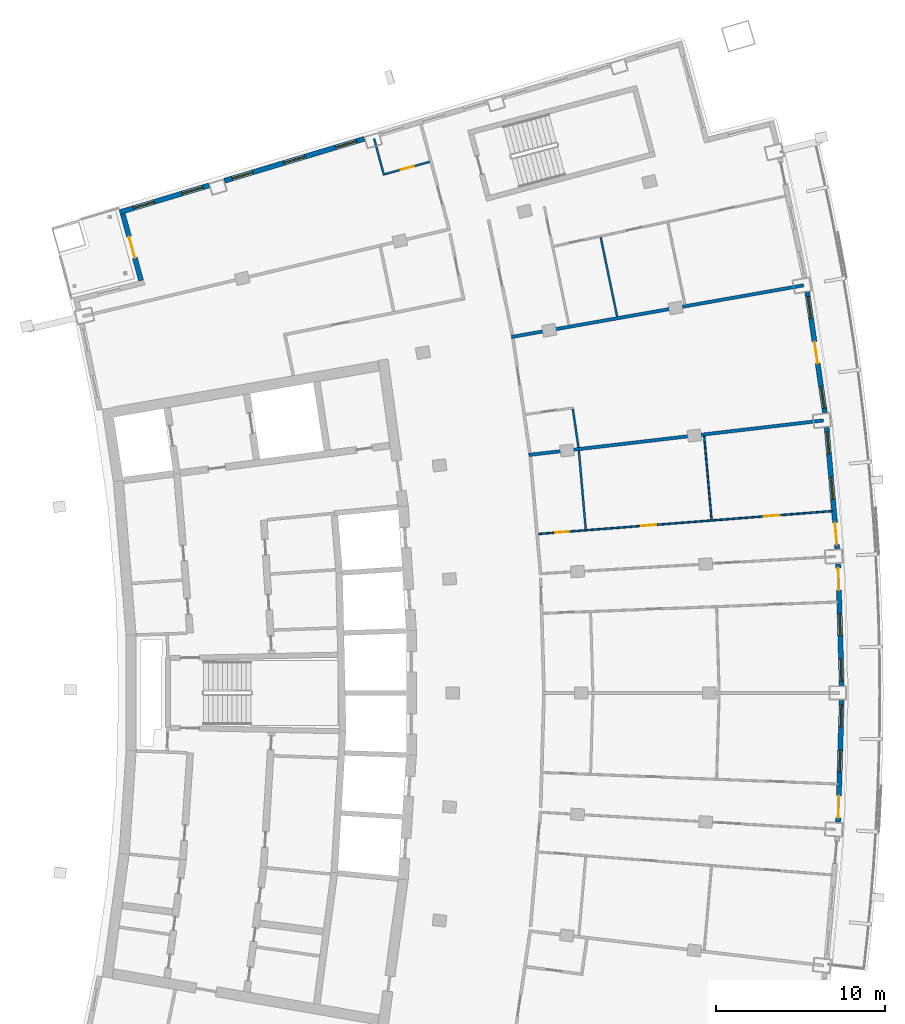
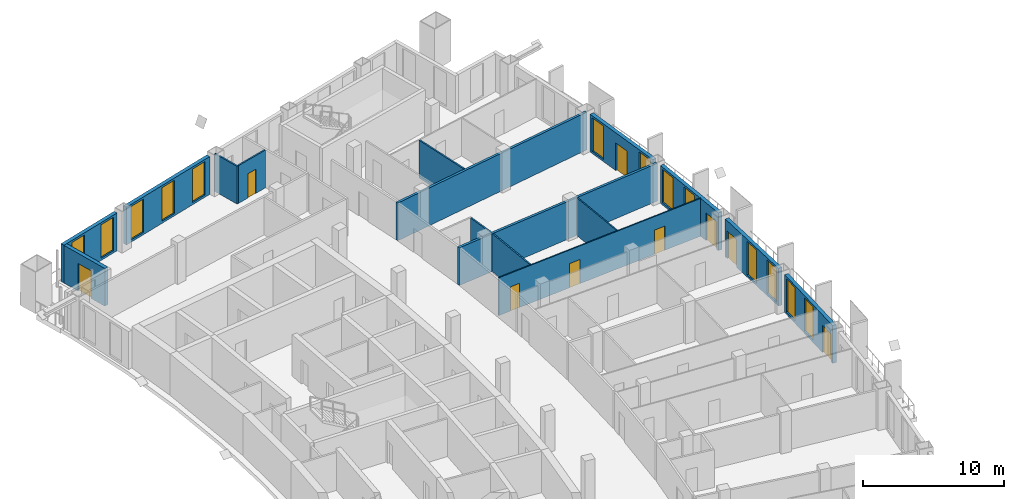
# One storey, part 14 of 19: 16 walls, 13 windows, 9 doors, 22 openings.
"""IFC4 building model written with IfcOpenShell, lengths in metres."""

from ifc_helpers import new_model, si_unit, direction, frame, frame_2d, origin, place, context, subcontext, project, spatial, rectangle, extrude, material, layer, layer_set, type_object, element, fill, save


model = new_model("IFC4")

# Units and contexts
model_context = context("Model", 3, precision=1e-05, world=origin(), true_north=direction((0.0, 1.0)))
body_context = subcontext(model_context, "Body", "Model", "MODEL_VIEW")
ifc_project = project(units=[si_unit("LENGTHUNIT", "METRE"), si_unit("AREAUNIT", "SQUARE_METRE"), si_unit("VOLUMEUNIT", "CUBIC_METRE"), si_unit("PLANEANGLEUNIT", "RADIAN"), si_unit("MASSUNIT", "GRAM", prefix="KILO")], contexts=[model_context])

# Site, building, storey
site_placement = place(None, origin())
site = spatial("IfcSite", under=ifc_project, at=site_placement, CompositionType="ELEMENT")
building_placement = place(site_placement, origin())
building = spatial("IfcBuilding", under=site, at=building_placement, Name="Alderwake Tower", CompositionType="ELEMENT")
storey_placement = place(building_placement, frame((0.0, 0.0, 196.39990234375)))
storey = spatial("IfcBuildingStorey", under=building, at=storey_placement, Name="L48", CompositionType="ELEMENT", Elevation=196.39990234375)

# Wall, openings, door, windows
ifc_material_1 = material(Name="Precast concrete C50/60 spandrel panel", Category="concrete")
ifc_layer_1 = layer(ifc_material_1, 0.300048828125)
ifc_layer_set_1 = layer_set([ifc_layer_1], Name="External wall EW1 Precast concrete C50/60 spandrel")
wall_type_1 = type_object("IfcWallType", Name="External wall EW1 Precast concrete C50/60 spandrel", PredefinedType="SOLIDWALL", material=ifc_layer_set_1)
wall_1_placement = place(storey_placement, frame((58.626708984375, 53.352294921875, 0.0), z_axis=(0.0, 0.0, 1.0), x_axis=(0.0291809358, 0.999574145817, 0.0)))
wall_1 = element("IfcWall", 1, at=wall_1_placement, inside=storey, type_object=wall_type_1, Name="External wall 15", PredefinedType="SOLIDWALL", context=body_context, shape_type="SweptSolid", body=[
    extrude(rectangle(XDim=7.20361328125, YDim=0.300048828125, at=frame_2d((3.601806640625, 0.0))), origin(), (0.0, 0.0, 1.0), 3.280029296875),
])
opening_1_placement = place(wall_1_placement, frame((0.257080078125, 0.0, 0.0)))
opening_1 = element("IfcOpeningElement", 2, at=opening_1_placement, cuts=wall_1, Name="Opening D04", PredefinedType="OPENING", context=body_context, shape_type="SweptSolid", body=[
    extrude(rectangle(XDim=1.300048828125, YDim=2.39990234375, at=frame_2d((0.64990234375, 1.199951171875))), frame((0.0, 0.159912109375, 0.0), z_axis=(0.0, -1.0, 0.0), x_axis=(1.0, 0.0, 0.0)), (0.0, 0.0, 1.0), 0.320068359375),
])
opening_2_placement = place(wall_1_placement, frame((2.951904296875, 0.0, 0.199951171875)))
opening_2 = element("IfcOpeningElement", 3, at=opening_2_placement, cuts=wall_1, Name="Opening W1", PredefinedType="OPENING", context=body_context, shape_type="SweptSolid", body=[
    extrude(rectangle(XDim=1.300048828125, YDim=2.89990234375, at=frame_2d((0.64990234375, 1.449951171875))), frame((0.0, 0.159912109375, 0.0), z_axis=(0.0, -1.0, 0.0), x_axis=(1.0, 0.0, 0.0)), (0.0, 0.0, 1.0), 0.320068359375),
])
opening_3_placement = place(wall_1_placement, frame((5.646484375, 0.0, 0.199951171875)))
opening_3 = element("IfcOpeningElement", 4, at=opening_3_placement, cuts=wall_1, Name="Opening W1", PredefinedType="OPENING", context=body_context, shape_type="SweptSolid", body=[
    extrude(rectangle(XDim=1.300048828125, YDim=2.89990234375, at=frame_2d((0.64990234375, 1.449951171875))), frame((0.0, 0.159912109375, 0.0), z_axis=(0.0, -1.0, 0.0), x_axis=(1.0, 0.0, 0.0)), (0.0, 0.0, 1.0), 0.320068359375),
])
ifc_material_2 = material(Name="Bronze tinted glass in aluminium frame", Category="aluminium")
door_type_1 = type_object("IfcDoorType", Name="Balcony door BD sliding", OperationType="SLIDING_TO_LEFT", PredefinedType="DOOR", material=ifc_material_2)
door_1_placement = place(opening_1_placement, origin())
door_1 = element("IfcDoor", 5, at=door_1_placement, inside=storey, type_object=door_type_1, Name="Door D04", OperationType="SLIDING_TO_LEFT", OverallHeight=2.39990234375, OverallWidth=1.300048828125, PredefinedType="DOOR", context=body_context, shape_type="SweptSolid", body=[
    extrude(rectangle(XDim=1.300048828125, YDim=2.39990234375, at=frame_2d((0.64990234375, 1.199951171875))), frame((0.0, 0.02490234375, 0.0), z_axis=(0.0, -1.0, 0.0), x_axis=(1.0, 0.0, 0.0)), (0.0, 0.0, 1.0), 0.050048828125),
])
fill(opening_1, door_1)
ifc_material_3 = material(Name="Bronze tinted glass in aluminium frame", Category="aluminium")
window_type = type_object("IfcWindowType", Name="Window W1 tall fixed and vent", PartitioningType="DOUBLE_PANEL_VERTICAL", PredefinedType="WINDOW", material=ifc_material_3)
window_1_placement = place(opening_2_placement, origin())
window_1 = element("IfcWindow", 6, at=window_1_placement, inside=storey, type_object=window_type, Name="Window W1 tall fixed and vent", OverallHeight=2.89990234375, OverallWidth=1.300048828125, PartitioningType="DOUBLE_PANEL_VERTICAL", PredefinedType="WINDOW", context=body_context, shape_type="SweptSolid", body=[
    extrude(rectangle(XDim=1.300048828125, YDim=2.89990234375, at=frame_2d((0.64990234375, 1.449951171875))), frame((0.0, 0.030029296875, 0.0), z_axis=(0.0, -1.0, 0.0), x_axis=(1.0, 0.0, 0.0)), (0.0, 0.0, 1.0), 0.06005859375),
])
fill(opening_2, window_1)
window_2_placement = place(opening_3_placement, origin())
window_2 = element("IfcWindow", 7, at=window_2_placement, inside=storey, type_object=window_type, Name="Window W1 tall fixed and vent", OverallHeight=2.89990234375, OverallWidth=1.300048828125, PartitioningType="DOUBLE_PANEL_VERTICAL", PredefinedType="WINDOW", context=body_context, shape_type="SweptSolid", body=[
    extrude(rectangle(XDim=1.300048828125, YDim=2.89990234375, at=frame_2d((0.64990234375, 1.449951171875))), frame((0.0, 0.030029296875, 0.0), z_axis=(0.0, -1.0, 0.0), x_axis=(1.0, 0.0, 0.0)), (0.0, 0.0, 1.0), 0.06005859375),
])
fill(opening_3, window_2)

wall_2_placement = place(storey_placement, frame((58.8369140625, 61.447265625, 0.0), z_axis=(0.0, 0.0, 1.0), x_axis=(-0.0291809358, 0.999574145817, 0.0)))
wall_2 = element("IfcWall", 8, at=wall_2_placement, inside=storey, type_object=wall_type_1, Name="External wall 16", PredefinedType="SOLIDWALL", context=body_context, shape_type="SweptSolid", body=[
    extrude(rectangle(XDim=7.20361328125, YDim=0.300048828125, at=frame_2d((3.601806640625, 0.0))), origin(), (0.0, 0.0, 1.0), 3.280029296875),
])
opening_4_placement = place(wall_2_placement, frame((0.257080078125, 0.0, 0.199951171875)))
opening_4 = element("IfcOpeningElement", 9, at=opening_4_placement, cuts=wall_2, Name="Opening W1", PredefinedType="OPENING", context=body_context, shape_type="SweptSolid", body=[
    extrude(rectangle(XDim=1.300048828125, YDim=2.89990234375, at=frame_2d((0.64990234375, 1.449951171875))), frame((0.0, 0.159912109375, 0.0), z_axis=(0.0, -1.0, 0.0), x_axis=(1.0, 0.0, 0.0)), (0.0, 0.0, 1.0), 0.320068359375),
])
opening_5_placement = place(wall_2_placement, frame((2.951904296875, 0.0, 0.199951171875)))
opening_5 = element("IfcOpeningElement", 10, at=opening_5_placement, cuts=wall_2, Name="Opening W1", PredefinedType="OPENING", context=body_context, shape_type="SweptSolid", body=[
    extrude(rectangle(XDim=1.300048828125, YDim=2.89990234375, at=frame_2d((0.64990234375, 1.449951171875))), frame((0.0, 0.159912109375, 0.0), z_axis=(0.0, -1.0, 0.0), x_axis=(1.0, 0.0, 0.0)), (0.0, 0.0, 1.0), 0.320068359375),
])
opening_6_placement = place(wall_2_placement, frame((5.646484375, 0.0, 0.0)))
opening_6 = element("IfcOpeningElement", 11, at=opening_6_placement, cuts=wall_2, Name="Opening D05", PredefinedType="OPENING", context=body_context, shape_type="SweptSolid", body=[
    extrude(rectangle(XDim=1.300048828125, YDim=2.39990234375, at=frame_2d((0.64990234375, 1.199951171875))), frame((0.0, 0.159912109375, 0.0), z_axis=(0.0, -1.0, 0.0), x_axis=(1.0, 0.0, 0.0)), (0.0, 0.0, 1.0), 0.320068359375),
])
door_2_placement = place(opening_6_placement, origin())
door_2 = element("IfcDoor", 12, at=door_2_placement, inside=storey, type_object=door_type_1, Name="Door D05", OperationType="SLIDING_TO_LEFT", OverallHeight=2.39990234375, OverallWidth=1.300048828125, PredefinedType="DOOR", context=body_context, shape_type="SweptSolid", body=[
    extrude(rectangle(XDim=1.300048828125, YDim=2.39990234375, at=frame_2d((0.64990234375, 1.199951171875))), frame((0.0, 0.02490234375, 0.0), z_axis=(0.0, -1.0, 0.0), x_axis=(1.0, 0.0, 0.0)), (0.0, 0.0, 1.0), 0.050048828125),
])
fill(opening_6, door_2)
window_3_placement = place(opening_4_placement, origin())
window_3 = element("IfcWindow", 13, at=window_3_placement, inside=storey, type_object=window_type, Name="Window W1 tall fixed and vent", OverallHeight=2.89990234375, OverallWidth=1.300048828125, PartitioningType="DOUBLE_PANEL_VERTICAL", PredefinedType="WINDOW", context=body_context, shape_type="SweptSolid", body=[
    extrude(rectangle(XDim=1.300048828125, YDim=2.89990234375, at=frame_2d((0.64990234375, 1.449951171875))), frame((0.0, 0.030029296875, 0.0), z_axis=(0.0, -1.0, 0.0), x_axis=(1.0, 0.0, 0.0)), (0.0, 0.0, 1.0), 0.06005859375),
])
fill(opening_4, window_3)
window_4_placement = place(opening_5_placement, origin())
window_4 = element("IfcWindow", 14, at=window_4_placement, inside=storey, type_object=window_type, Name="Window W1 tall fixed and vent", OverallHeight=2.89990234375, OverallWidth=1.300048828125, PartitioningType="DOUBLE_PANEL_VERTICAL", PredefinedType="WINDOW", context=body_context, shape_type="SweptSolid", body=[
    extrude(rectangle(XDim=1.300048828125, YDim=2.89990234375, at=frame_2d((0.64990234375, 1.449951171875))), frame((0.0, 0.030029296875, 0.0), z_axis=(0.0, -1.0, 0.0), x_axis=(1.0, 0.0, 0.0)), (0.0, 0.0, 1.0), 0.06005859375),
])
fill(opening_5, window_4)

wall_3_placement = place(storey_placement, frame((58.57470703125, 69.540771484375, 0.0), z_axis=(0.0, 0.0, 1.0), x_axis=(-0.087372536775, 0.996175707301, 0.0)))
wall_3 = element("IfcWall", 15, at=wall_3_placement, inside=storey, type_object=wall_type_1, Name="External wall 17", PredefinedType="SOLIDWALL", context=body_context, shape_type="SweptSolid", body=[
    extrude(rectangle(XDim=7.20361328125, YDim=0.300048828125, at=frame_2d((3.601806640625, 0.0))), origin(), (0.0, 0.0, 1.0), 3.280029296875),
])
opening_7_placement = place(wall_3_placement, frame((0.257080078125, 0.0, 0.0)))
opening_7 = element("IfcOpeningElement", 16, at=opening_7_placement, cuts=wall_3, Name="Opening D06", PredefinedType="OPENING", context=body_context, shape_type="SweptSolid", body=[
    extrude(rectangle(XDim=1.300048828125, YDim=2.39990234375, at=frame_2d((0.64990234375, 1.199951171875))), frame((0.0, 0.159912109375, 0.0), z_axis=(0.0, -1.0, 0.0), x_axis=(1.0, 0.0, 0.0)), (0.0, 0.0, 1.0), 0.320068359375),
])
opening_8_placement = place(wall_3_placement, frame((2.951904296875, 0.0, 0.199951171875)))
opening_8 = element("IfcOpeningElement", 17, at=opening_8_placement, cuts=wall_3, Name="Opening W1", PredefinedType="OPENING", context=body_context, shape_type="SweptSolid", body=[
    extrude(rectangle(XDim=1.300048828125, YDim=2.89990234375, at=frame_2d((0.64990234375, 1.449951171875))), frame((0.0, 0.159912109375, 0.0), z_axis=(0.0, -1.0, 0.0), x_axis=(1.0, 0.0, 0.0)), (0.0, 0.0, 1.0), 0.320068359375),
])
opening_9_placement = place(wall_3_placement, frame((5.646484375, 0.0, 0.199951171875)))
opening_9 = element("IfcOpeningElement", 18, at=opening_9_placement, cuts=wall_3, Name="Opening W1", PredefinedType="OPENING", context=body_context, shape_type="SweptSolid", body=[
    extrude(rectangle(XDim=1.300048828125, YDim=2.89990234375, at=frame_2d((0.64990234375, 1.449951171875))), frame((0.0, 0.159912109375, 0.0), z_axis=(0.0, -1.0, 0.0), x_axis=(1.0, 0.0, 0.0)), (0.0, 0.0, 1.0), 0.320068359375),
])
door_3_placement = place(opening_7_placement, origin())
door_3 = element("IfcDoor", 19, at=door_3_placement, inside=storey, type_object=door_type_1, Name="Door D06", OperationType="SLIDING_TO_LEFT", OverallHeight=2.39990234375, OverallWidth=1.300048828125, PredefinedType="DOOR", context=body_context, shape_type="SweptSolid", body=[
    extrude(rectangle(XDim=1.300048828125, YDim=2.39990234375, at=frame_2d((0.64990234375, 1.199951171875))), frame((0.0, 0.02490234375, 0.0), z_axis=(0.0, -1.0, 0.0), x_axis=(1.0, 0.0, 0.0)), (0.0, 0.0, 1.0), 0.050048828125),
])
fill(opening_7, door_3)
window_5_placement = place(opening_8_placement, origin())
window_5 = element("IfcWindow", 20, at=window_5_placement, inside=storey, type_object=window_type, Name="Window W1 tall fixed and vent", OverallHeight=2.89990234375, OverallWidth=1.300048828125, PartitioningType="DOUBLE_PANEL_VERTICAL", PredefinedType="WINDOW", context=body_context, shape_type="SweptSolid", body=[
    extrude(rectangle(XDim=1.300048828125, YDim=2.89990234375, at=frame_2d((0.64990234375, 1.449951171875))), frame((0.0, 0.030029296875, 0.0), z_axis=(0.0, -1.0, 0.0), x_axis=(1.0, 0.0, 0.0)), (0.0, 0.0, 1.0), 0.06005859375),
])
fill(opening_8, window_5)
window_6_placement = place(opening_9_placement, origin())
window_6 = element("IfcWindow", 21, at=window_6_placement, inside=storey, type_object=window_type, Name="Window W1 tall fixed and vent", OverallHeight=2.89990234375, OverallWidth=1.300048828125, PartitioningType="DOUBLE_PANEL_VERTICAL", PredefinedType="WINDOW", context=body_context, shape_type="SweptSolid", body=[
    extrude(rectangle(XDim=1.300048828125, YDim=2.89990234375, at=frame_2d((0.64990234375, 1.449951171875))), frame((0.0, 0.030029296875, 0.0), z_axis=(0.0, -1.0, 0.0), x_axis=(1.0, 0.0, 0.0)), (0.0, 0.0, 1.0), 0.06005859375),
])
fill(opening_9, window_6)

wall_4_placement = place(storey_placement, frame((57.841064453125, 77.60498046875, 0.0), z_axis=(0.0, 0.0, 1.0), x_axis=(-0.145320319938, 0.98938465958, 0.0)))
wall_4 = element("IfcWall", 22, at=wall_4_placement, inside=storey, type_object=wall_type_1, Name="External wall 18", PredefinedType="SOLIDWALL", context=body_context, shape_type="SweptSolid", body=[
    extrude(rectangle(XDim=7.203857421875, YDim=0.300048828125, at=frame_2d((3.60205078125, 0.0))), origin(), (0.0, 0.0, 1.0), 3.280029296875),
])
opening_10_placement = place(wall_4_placement, frame((0.257080078125, 0.0, 0.199951171875)))
opening_10 = element("IfcOpeningElement", 23, at=opening_10_placement, cuts=wall_4, Name="Opening W1", PredefinedType="OPENING", context=body_context, shape_type="SweptSolid", body=[
    extrude(rectangle(XDim=1.300048828125, YDim=2.89990234375, at=frame_2d((0.64990234375, 1.449951171875))), frame((0.0, 0.159912109375, 0.0), z_axis=(0.0, -1.0, 0.0), x_axis=(1.0, 0.0, 0.0)), (0.0, 0.0, 1.0), 0.320068359375),
])
opening_11_placement = place(wall_4_placement, frame((2.951904296875, 0.0, 0.0)))
opening_11 = element("IfcOpeningElement", 24, at=opening_11_placement, cuts=wall_4, Name="Opening D07", PredefinedType="OPENING", context=body_context, shape_type="SweptSolid", body=[
    extrude(rectangle(XDim=1.300048828125, YDim=2.39990234375, at=frame_2d((0.64990234375, 1.199951171875))), frame((0.0, 0.159912109375, 0.0), z_axis=(0.0, -1.0, 0.0), x_axis=(1.0, 0.0, 0.0)), (0.0, 0.0, 1.0), 0.320068359375),
])
opening_12_placement = place(wall_4_placement, frame((5.646484375, 0.0, 0.199951171875)))
opening_12 = element("IfcOpeningElement", 25, at=opening_12_placement, cuts=wall_4, Name="Opening W1", PredefinedType="OPENING", context=body_context, shape_type="SweptSolid", body=[
    extrude(rectangle(XDim=1.300048828125, YDim=2.89990234375, at=frame_2d((0.64990234375, 1.449951171875))), frame((0.0, 0.159912109375, 0.0), z_axis=(0.0, -1.0, 0.0), x_axis=(1.0, 0.0, 0.0)), (0.0, 0.0, 1.0), 0.320068359375),
])
door_4_placement = place(opening_11_placement, origin())
door_4 = element("IfcDoor", 26, at=door_4_placement, inside=storey, type_object=door_type_1, Name="Door D07", OperationType="SLIDING_TO_LEFT", OverallHeight=2.39990234375, OverallWidth=1.300048828125, PredefinedType="DOOR", context=body_context, shape_type="SweptSolid", body=[
    extrude(rectangle(XDim=1.300048828125, YDim=2.39990234375, at=frame_2d((0.64990234375, 1.199951171875))), frame((0.0, 0.02490234375, 0.0), z_axis=(0.0, -1.0, 0.0), x_axis=(1.0, 0.0, 0.0)), (0.0, 0.0, 1.0), 0.050048828125),
])
fill(opening_11, door_4)
window_7_placement = place(opening_10_placement, origin())
window_7 = element("IfcWindow", 27, at=window_7_placement, inside=storey, type_object=window_type, Name="Window W1 tall fixed and vent", OverallHeight=2.89990234375, OverallWidth=1.300048828125, PartitioningType="DOUBLE_PANEL_VERTICAL", PredefinedType="WINDOW", context=body_context, shape_type="SweptSolid", body=[
    extrude(rectangle(XDim=1.300048828125, YDim=2.89990234375, at=frame_2d((0.64990234375, 1.449951171875))), frame((0.0, 0.030029296875, 0.0), z_axis=(0.0, -1.0, 0.0), x_axis=(1.0, 0.0, 0.0)), (0.0, 0.0, 1.0), 0.06005859375),
])
fill(opening_10, window_7)
window_8_placement = place(opening_12_placement, origin())
window_8 = element("IfcWindow", 28, at=window_8_placement, inside=storey, type_object=window_type, Name="Window W1 tall fixed and vent", OverallHeight=2.89990234375, OverallWidth=1.300048828125, PartitioningType="DOUBLE_PANEL_VERTICAL", PredefinedType="WINDOW", context=body_context, shape_type="SweptSolid", body=[
    extrude(rectangle(XDim=1.300048828125, YDim=2.89990234375, at=frame_2d((0.64990234375, 1.449951171875))), frame((0.0, 0.030029296875, 0.0), z_axis=(0.0, -1.0, 0.0), x_axis=(1.0, 0.0, 0.0)), (0.0, 0.0, 1.0), 0.06005859375),
])
fill(opening_12, window_8)

# Wall, openings, windows
ifc_material_4 = material(Name="Bronze metal cladding on lightweight framing")
ifc_layer_2 = layer(ifc_material_4, 0.300048828125)
ifc_layer_set_2 = layer_set([ifc_layer_2], Name="External wall EW2 bronze metal cladding")
wall_type_2 = type_object("IfcWallType", Name="External wall EW2 bronze metal cladding", PredefinedType="SOLIDWALL", material=ifc_layer_set_2)
wall_5_placement = place(storey_placement, frame((30.551513671875, 93.825439453125, 0.0), z_axis=(0.0, 0.0, 1.0), x_axis=(-0.957759421932, -0.287570669054, 0.0)))
wall_5 = element("IfcWall", 29, at=wall_5_placement, inside=storey, type_object=wall_type_2, Name="External wall 26", PredefinedType="SOLIDWALL", context=body_context, shape_type="SweptSolid", body=[
    extrude(rectangle(XDim=8.64599609375, YDim=0.300048828125, at=frame_2d((4.322998046875, 0.0))), origin(), (0.0, 0.0, 1.0), 3.280029296875),
])
opening_13_placement = place(wall_5_placement, frame((0.47314453125, 0.0, 0.199951171875)))
opening_13 = element("IfcOpeningElement", 30, at=opening_13_placement, cuts=wall_5, Name="Opening W1", PredefinedType="OPENING", context=body_context, shape_type="SweptSolid", body=[
    extrude(rectangle(XDim=1.300048828125, YDim=2.89990234375, at=frame_2d((0.64990234375, 1.449951171875))), frame((0.0, 0.159912109375, 0.0), z_axis=(0.0, -1.0, 0.0), x_axis=(1.0, 0.0, 0.0)), (0.0, 0.0, 1.0), 0.320068359375),
])
opening_14_placement = place(wall_5_placement, frame((3.673095703125, 0.0, 0.199951171875)))
opening_14 = element("IfcOpeningElement", 31, at=opening_14_placement, cuts=wall_5, Name="Opening W1", PredefinedType="OPENING", context=body_context, shape_type="SweptSolid", body=[
    extrude(rectangle(XDim=1.300048828125, YDim=2.89990234375, at=frame_2d((0.64990234375, 1.449951171875))), frame((0.0, 0.159912109375, 0.0), z_axis=(0.0, -1.0, 0.0), x_axis=(1.0, 0.0, 0.0)), (0.0, 0.0, 1.0), 0.320068359375),
])
opening_15_placement = place(wall_5_placement, frame((6.873291015625, 0.0, 0.199951171875)))
opening_15 = element("IfcOpeningElement", 32, at=opening_15_placement, cuts=wall_5, Name="Opening W1", PredefinedType="OPENING", context=body_context, shape_type="SweptSolid", body=[
    extrude(rectangle(XDim=1.300048828125, YDim=2.89990234375, at=frame_2d((0.64990234375, 1.449951171875))), frame((0.0, 0.159912109375, 0.0), z_axis=(0.0, -1.0, 0.0), x_axis=(1.0, 0.0, 0.0)), (0.0, 0.0, 1.0), 0.320068359375),
])
window_9_placement = place(opening_13_placement, origin())
window_9 = element("IfcWindow", 33, at=window_9_placement, inside=storey, type_object=window_type, Name="Window W1 tall fixed and vent", OverallHeight=2.89990234375, OverallWidth=1.300048828125, PartitioningType="DOUBLE_PANEL_VERTICAL", PredefinedType="WINDOW", context=body_context, shape_type="SweptSolid", body=[
    extrude(rectangle(XDim=1.300048828125, YDim=2.89990234375, at=frame_2d((0.64990234375, 1.449951171875))), frame((0.0, 0.030029296875, 0.0), z_axis=(0.0, -1.0, 0.0), x_axis=(1.0, 0.0, 0.0)), (0.0, 0.0, 1.0), 0.06005859375),
])
fill(opening_13, window_9)
window_10_placement = place(opening_14_placement, origin())
window_10 = element("IfcWindow", 34, at=window_10_placement, inside=storey, type_object=window_type, Name="Window W1 tall fixed and vent", OverallHeight=2.89990234375, OverallWidth=1.300048828125, PartitioningType="DOUBLE_PANEL_VERTICAL", PredefinedType="WINDOW", context=body_context, shape_type="SweptSolid", body=[
    extrude(rectangle(XDim=1.300048828125, YDim=2.89990234375, at=frame_2d((0.64990234375, 1.449951171875))), frame((0.0, 0.030029296875, 0.0), z_axis=(0.0, -1.0, 0.0), x_axis=(1.0, 0.0, 0.0)), (0.0, 0.0, 1.0), 0.06005859375),
])
fill(opening_14, window_10)
window_11_placement = place(opening_15_placement, origin())
window_11 = element("IfcWindow", 35, at=window_11_placement, inside=storey, type_object=window_type, Name="Window W1 tall fixed and vent", OverallHeight=2.89990234375, OverallWidth=1.300048828125, PartitioningType="DOUBLE_PANEL_VERTICAL", PredefinedType="WINDOW", context=body_context, shape_type="SweptSolid", body=[
    extrude(rectangle(XDim=1.300048828125, YDim=2.89990234375, at=frame_2d((0.64990234375, 1.449951171875))), frame((0.0, 0.030029296875, 0.0), z_axis=(0.0, -1.0, 0.0), x_axis=(1.0, 0.0, 0.0)), (0.0, 0.0, 1.0), 0.06005859375),
])
fill(opening_15, window_11)

wall_6_placement = place(storey_placement, frame((21.356689453125, 91.064697265625, 0.0), z_axis=(0.0, 0.0, 1.0), x_axis=(-0.957772749247, -0.287526278451, 0.0)))
wall_6 = element("IfcWall", 36, at=wall_6_placement, inside=storey, type_object=wall_type_2, Name="External wall 27", PredefinedType="SOLIDWALL", context=body_context, shape_type="SweptSolid", body=[
    extrude(rectangle(XDim=5.524169921875, YDim=0.300048828125, at=frame_2d((2.76220703125, 0.0))), origin(), (0.0, 0.0, 1.0), 3.280029296875),
])
opening_16_placement = place(wall_6_placement, frame((0.373291015625, 0.0, 0.199951171875)))
opening_16 = element("IfcOpeningElement", 37, at=opening_16_placement, cuts=wall_6, Name="Opening W1", PredefinedType="OPENING", context=body_context, shape_type="SweptSolid", body=[
    extrude(rectangle(XDim=1.300048828125, YDim=2.89990234375, at=frame_2d((0.64990234375, 1.449951171875))), frame((0.0, 0.159912109375, 0.0), z_axis=(0.0, -1.0, 0.0), x_axis=(1.0, 0.0, 0.0)), (0.0, 0.0, 1.0), 0.320068359375),
])
opening_17_placement = place(wall_6_placement, frame((3.3740234375, 0.0, 0.199951171875)))
opening_17 = element("IfcOpeningElement", 38, at=opening_17_placement, cuts=wall_6, Name="Opening W1", PredefinedType="OPENING", context=body_context, shape_type="SweptSolid", body=[
    extrude(rectangle(XDim=1.300048828125, YDim=2.89990234375, at=frame_2d((0.64990234375, 1.449951171875))), frame((0.0, 0.159912109375, 0.0), z_axis=(0.0, -1.0, 0.0), x_axis=(1.0, 0.0, 0.0)), (0.0, 0.0, 1.0), 0.320068359375),
])
window_12_placement = place(opening_16_placement, origin())
window_12 = element("IfcWindow", 39, at=window_12_placement, inside=storey, type_object=window_type, Name="Window W1 tall fixed and vent", OverallHeight=2.89990234375, OverallWidth=1.300048828125, PartitioningType="DOUBLE_PANEL_VERTICAL", PredefinedType="WINDOW", context=body_context, shape_type="SweptSolid", body=[
    extrude(rectangle(XDim=1.300048828125, YDim=2.89990234375, at=frame_2d((0.64990234375, 1.449951171875))), frame((0.0, 0.030029296875, 0.0), z_axis=(0.0, -1.0, 0.0), x_axis=(1.0, 0.0, 0.0)), (0.0, 0.0, 1.0), 0.06005859375),
])
fill(opening_16, window_12)
window_13_placement = place(opening_17_placement, origin())
window_13 = element("IfcWindow", 40, at=window_13_placement, inside=storey, type_object=window_type, Name="Window W1 tall fixed and vent", OverallHeight=2.89990234375, OverallWidth=1.300048828125, PartitioningType="DOUBLE_PANEL_VERTICAL", PredefinedType="WINDOW", context=body_context, shape_type="SweptSolid", body=[
    extrude(rectangle(XDim=1.300048828125, YDim=2.89990234375, at=frame_2d((0.64990234375, 1.449951171875))), frame((0.0, 0.030029296875, 0.0), z_axis=(0.0, -1.0, 0.0), x_axis=(1.0, 0.0, 0.0)), (0.0, 0.0, 1.0), 0.06005859375),
])
fill(opening_17, window_13)

# Wall, opening, door
wall_7_placement = place(storey_placement, frame((16.248779296875, 89.374755859375, 0.0), z_axis=(0.0, 0.0, 1.0), x_axis=(0.264607053468, -0.964356317579, 0.0)))
wall_7 = element("IfcWall", 41, at=wall_7_placement, inside=storey, type_object=wall_type_2, Name="External wall 28", PredefinedType="SOLIDWALL", context=body_context, shape_type="SweptSolid", body=[
    extrude(rectangle(XDim=4.090087890625, YDim=0.300048828125, at=frame_2d((2.044921875, 0.0))), origin(), (0.0, 0.0, 1.0), 3.280029296875),
])
opening_18_placement = place(wall_7_placement, frame((1.39501953125, 0.0, 0.0)))
opening_18 = element("IfcOpeningElement", 42, at=opening_18_placement, cuts=wall_7, Name="Opening D09", PredefinedType="OPENING", context=body_context, shape_type="SweptSolid", body=[
    extrude(rectangle(XDim=1.300048828125, YDim=2.39990234375, at=frame_2d((0.64990234375, 1.199951171875))), frame((0.0, 0.159912109375, 0.0), z_axis=(0.0, -1.0, 0.0), x_axis=(1.0, 0.0, 0.0)), (0.0, 0.0, 1.0), 0.320068359375),
])
door_5_placement = place(opening_18_placement, origin())
door_5 = element("IfcDoor", 43, at=door_5_placement, inside=storey, type_object=door_type_1, Name="Door D09", OperationType="SLIDING_TO_LEFT", OverallHeight=2.39990234375, OverallWidth=1.300048828125, PredefinedType="DOOR", context=body_context, shape_type="SweptSolid", body=[
    extrude(rectangle(XDim=1.300048828125, YDim=2.39990234375, at=frame_2d((0.64990234375, 1.199951171875))), frame((0.0, 0.02490234375, 0.0), z_axis=(0.0, -1.0, 0.0), x_axis=(1.0, 0.0, 0.0)), (0.0, 0.0, 1.0), 0.050048828125),
])
fill(opening_18, door_5)

# Walls
ifc_material_5 = material(Name="Dense block masonry wall", Category="masonry")
ifc_layer_3 = layer(ifc_material_5, 0.199951171875)
ifc_layer_set_3 = layer_set([ifc_layer_3], Name="Party wall 200")
wall_type_3 = type_object("IfcWallType", Name="Party wall 200", PredefinedType="SOLIDWALL", material=ifc_layer_set_3)
wall_8_placement = place(storey_placement, frame((56.5830078125, 85.14892578125, 0.0), z_axis=(0.0, 0.0, 1.0), x_axis=(-0.984721150285, -0.174138611979, 0.0)))
element("IfcWall", 44, at=wall_8_placement, inside=storey, type_object=wall_type_3, Name="WL/L48/W01", PredefinedType="SOLIDWALL", context=body_context, shape_type="SweptSolid", body=[
    extrude(rectangle(XDim=17.582275390625, YDim=0.199951171875, at=frame_2d((8.791015625, 0.0))), origin(), (0.0, 0.0, 1.0), 3.280029296875),
])
wall_9_placement = place(storey_placement, frame((57.756103515625, 77.14501953125, 0.0), z_axis=(0.0, 0.0, 1.0), x_axis=(-0.99320038144, -0.116417362568, 0.0)))
element("IfcWall", 45, at=wall_9_placement, inside=storey, type_object=wall_type_3, Name="WL/L48/W02", PredefinedType="SOLIDWALL", context=body_context, shape_type="SweptSolid", body=[
    extrude(rectangle(XDim=17.578125, YDim=0.199951171875, at=frame_2d((8.7890625, 0.0))), origin(), (0.0, 0.0, 1.0), 3.280029296875),
])

# Wall, openings, doors
ifc_material_6 = material(Name="Gypsum board on metal studs")
ifc_layer_4 = layer(ifc_material_6, 0.10009765625)
ifc_layer_set_4 = layer_set([ifc_layer_4], Name="Unit partition 100")
wall_type_4 = type_object("IfcWallType", Name="Unit partition 100", PredefinedType="PARTITIONING", material=ifc_layer_set_4)
wall_10_placement = place(storey_placement, frame((40.867919921875, 70.419189453125, 0.0), z_axis=(0.0, 0.0, 1.0), x_axis=(0.996981921396, 0.077634067331, 0.0)))
wall_10 = element("IfcWall", 46, at=wall_10_placement, inside=storey, type_object=wall_type_4, Name="WL/L48/W45", PredefinedType="PARTITIONING", context=body_context, shape_type="SweptSolid", body=[
    extrude(rectangle(XDim=17.462890625, YDim=0.10009765625, at=frame_2d((8.7314453125, 0.0))), origin(), (0.0, 0.0, 1.0), 3.280029296875),
])
opening_19_placement = place(wall_10_placement, frame((6.105712890625, 0.0, 0.0)))
opening_19 = element("IfcOpeningElement", 47, at=opening_19_placement, cuts=wall_10, Name="Opening R13-U05.5", PredefinedType="OPENING", context=body_context, shape_type="SweptSolid", body=[
    extrude(rectangle(XDim=0.89990234375, YDim=2.10009765625, at=frame_2d((0.449951171875, 1.050048828125))), frame((0.0, 0.06005859375, 0.0), z_axis=(0.0, -1.0, 0.0), x_axis=(1.0, 0.0, 0.0)), (0.0, 0.0, 1.0), 0.1201171875),
])
opening_20_placement = place(wall_10_placement, frame((1.009521484375, 0.0, 0.0)))
opening_20 = element("IfcOpeningElement", 48, at=opening_20_placement, cuts=wall_10, Name="Opening R13-U05.6", PredefinedType="OPENING", context=body_context, shape_type="SweptSolid", body=[
    extrude(rectangle(XDim=0.800048828125, YDim=2.10009765625, at=frame_2d((0.39990234375, 1.050048828125))), frame((0.0, 0.06005859375, 0.0), z_axis=(0.0, -1.0, 0.0), x_axis=(1.0, 0.0, 0.0)), (0.0, 0.0, 1.0), 0.1201171875),
])
opening_21_placement = place(wall_10_placement, frame((13.427490234375, 0.0, 0.0)))
opening_21 = element("IfcOpeningElement", 49, at=opening_21_placement, cuts=wall_10, Name="Opening R13-U05.7", PredefinedType="OPENING", context=body_context, shape_type="SweptSolid", body=[
    extrude(rectangle(XDim=0.89990234375, YDim=2.10009765625, at=frame_2d((0.449951171875, 1.050048828125))), frame((0.0, 0.06005859375, 0.0), z_axis=(0.0, -1.0, 0.0), x_axis=(1.0, 0.0, 0.0)), (0.0, 0.0, 1.0), 0.1201171875),
])
ifc_material_7 = material(Name="Painted timber leaf", Category="wood")
door_type_2 = type_object("IfcDoorType", Name="Bathroom door 800", OperationType="SINGLE_SWING_LEFT", PredefinedType="DOOR", material=ifc_material_7)
door_6_placement = place(opening_20_placement, origin())
door_6 = element("IfcDoor", 50, at=door_6_placement, inside=storey, type_object=door_type_2, Name="DR/L48/U05.6", OperationType="SINGLE_SWING_LEFT", OverallHeight=2.10009765625, OverallWidth=0.800048828125, PredefinedType="DOOR", context=body_context, shape_type="SweptSolid", body=[
    extrude(rectangle(XDim=0.800048828125, YDim=2.10009765625, at=frame_2d((0.39990234375, 1.050048828125))), frame((0.0, 0.02490234375, 0.0), z_axis=(0.0, -1.0, 0.0), x_axis=(1.0, 0.0, 0.0)), (0.0, 0.0, 1.0), 0.050048828125),
])
fill(opening_20, door_6)
ifc_material_8 = material(Name="Painted timber leaf", Category="wood")
door_type_3 = type_object("IfcDoorType", Name="Room door 900", OperationType="SINGLE_SWING_LEFT", PredefinedType="DOOR", material=ifc_material_8)
door_7_placement = place(opening_19_placement, origin())
door_7 = element("IfcDoor", 51, at=door_7_placement, inside=storey, type_object=door_type_3, Name="DR/L48/U05.5", OperationType="SINGLE_SWING_LEFT", OverallHeight=2.10009765625, OverallWidth=0.89990234375, PredefinedType="DOOR", context=body_context, shape_type="SweptSolid", body=[
    extrude(rectangle(XDim=0.89990234375, YDim=2.10009765625, at=frame_2d((0.449951171875, 1.050048828125))), frame((0.0, 0.02490234375, 0.0), z_axis=(0.0, -1.0, 0.0), x_axis=(1.0, 0.0, 0.0)), (0.0, 0.0, 1.0), 0.050048828125),
])
fill(opening_19, door_7)
door_8_placement = place(opening_21_placement, origin())
door_8 = element("IfcDoor", 52, at=door_8_placement, inside=storey, type_object=door_type_3, Name="DR/L48/U05.7", OperationType="SINGLE_SWING_LEFT", OverallHeight=2.10009765625, OverallWidth=0.89990234375, PredefinedType="DOOR", context=body_context, shape_type="SweptSolid", body=[
    extrude(rectangle(XDim=0.89990234375, YDim=2.10009765625, at=frame_2d((0.449951171875, 1.050048828125))), frame((0.0, 0.02490234375, 0.0), z_axis=(0.0, -1.0, 0.0), x_axis=(1.0, 0.0, 0.0)), (0.0, 0.0, 1.0), 0.050048828125),
])
fill(opening_21, door_8)

# Walls
wall_11_placement = place(storey_placement, frame((51.12451171875, 71.269775390625, 0.0), z_axis=(0.0, 0.0, 1.0), x_axis=(-0.087352937881, 0.996177426086, 0.0)))
element("IfcWall", 53, at=wall_11_placement, inside=storey, type_object=wall_type_4, Name="WL/L48/W52", PredefinedType="PARTITIONING", context=body_context, shape_type="SweptSolid", body=[
    extrude(rectangle(XDim=4.966552734375, YDim=0.10009765625, at=frame_2d((2.4833984375, 0.0))), origin(), (0.0, 0.0, 1.0), 3.280029296875),
])
ifc_material_9 = material(Name="Moisture resistant gypsum board on metal studs")
ifc_layer_5 = layer(ifc_material_9, 0.1201171875)
ifc_layer_set_5 = layer_set([ifc_layer_5], Name="Wet room partition 120")
wall_type_5 = type_object("IfcWallType", Name="Wet room partition 120", PredefinedType="PARTITIONING", material=ifc_layer_set_5)
wall_12_placement = place(storey_placement, frame((31.134033203125, 93.843017578125, 0.0), z_axis=(0.0, 0.0, 1.0), x_axis=(0.260139854323, -0.965570948296, 0.0)))
element("IfcWall", 54, at=wall_12_placement, inside=storey, type_object=wall_type_5, Name="WL/L48/W30", PredefinedType="PARTITIONING", context=body_context, shape_type="SweptSolid", body=[
    extrude(rectangle(XDim=2.2626953125, YDim=0.1201171875, at=frame_2d((1.13134765625, 0.0))), origin(), (0.0, 0.0, 1.0), 3.280029296875),
])

# Wall, opening, door
wall_13_placement = place(storey_placement, frame((31.764892578125, 91.73193359375, 0.0), z_axis=(0.0, 0.0, 1.0), x_axis=(0.964278304966, 0.264891205163, 0.0)))
wall_13 = element("IfcWall", 55, at=wall_13_placement, inside=storey, type_object=wall_type_5, Name="WL/L48/W32", PredefinedType="PARTITIONING", context=body_context, shape_type="SweptSolid", body=[
    extrude(rectangle(XDim=2.759521484375, YDim=0.1201171875, at=frame_2d((1.3798828125, 0.0))), origin(), (0.0, 0.0, 1.0), 3.280029296875),
])
opening_22_placement = place(wall_13_placement, frame((0.979736328125, 0.0, 0.0)))
opening_22 = element("IfcOpeningElement", 56, at=opening_22_placement, cuts=wall_13, Name="Opening R13-U09.2", PredefinedType="OPENING", context=body_context, shape_type="SweptSolid", body=[
    extrude(rectangle(XDim=0.800048828125, YDim=2.10009765625, at=frame_2d((0.39990234375, 1.050048828125))), frame((0.0, 0.070068359375, 0.0), z_axis=(0.0, -1.0, 0.0), x_axis=(1.0, 0.0, 0.0)), (0.0, 0.0, 1.0), 0.14013671875),
])
door_9_placement = place(opening_22_placement, origin())
door_9 = element("IfcDoor", 57, at=door_9_placement, inside=storey, type_object=door_type_2, Name="DR/L48/U09.2", OperationType="SINGLE_SWING_LEFT", OverallHeight=2.10009765625, OverallWidth=0.800048828125, PredefinedType="DOOR", context=body_context, shape_type="SweptSolid", body=[
    extrude(rectangle(XDim=0.800048828125, YDim=2.10009765625, at=frame_2d((0.39990234375, 1.050048828125))), frame((0.0, 0.02490234375, 0.0), z_axis=(0.0, -1.0, 0.0), x_axis=(1.0, 0.0, 0.0)), (0.0, 0.0, 1.0), 0.050048828125),
])
fill(opening_22, door_9)

# Walls
wall_14_placement = place(storey_placement, frame((43.242431640625, 75.5458984375, 0.0), z_axis=(0.0, 0.0, 1.0), x_axis=(-0.145166859028, 0.989407187684, 0.0)))
element("IfcWall", 58, at=wall_14_placement, inside=storey, type_object=wall_type_5, Name="WL/L48/W38", PredefinedType="PARTITIONING", context=body_context, shape_type="SweptSolid", body=[
    extrude(rectangle(XDim=2.299072265625, YDim=0.1201171875, at=frame_2d((1.1494140625, 0.0))), origin(), (0.0, 0.0, 1.0), 3.280029296875),
])
wall_15_placement = place(storey_placement, frame((43.672607421875, 70.687744140625, 0.0), z_axis=(0.0, 0.0, 1.0), x_axis=(-0.087010256841, 0.996207415755, 0.0)))
element("IfcWall", 59, at=wall_15_placement, inside=storey, type_object=wall_type_5, Name="WL/L48/W39", PredefinedType="PARTITIONING", context=body_context, shape_type="SweptSolid", body=[
    extrude(rectangle(XDim=4.677490234375, YDim=0.1201171875, at=frame_2d((2.3388671875, 0.0))), origin(), (0.0, 0.0, 1.0), 3.280029296875),
])
wall_16_placement = place(storey_placement, frame((45.53173828125, 83.297119140625, 0.0), z_axis=(0.0, 0.0, 1.0), x_axis=(-0.202763480801, 0.979227742077, 0.0)))
element("IfcWall", 60, at=wall_16_placement, inside=storey, type_object=wall_type_5, Name="WL/L48/W42", PredefinedType="PARTITIONING", context=body_context, shape_type="SweptSolid", body=[
    extrude(rectangle(XDim=4.806640625, YDim=0.1201171875, at=frame_2d((2.4033203125, 0.0))), origin(), (0.0, 0.0, 1.0), 3.280029296875),
])

save(model, "model.ifc")
